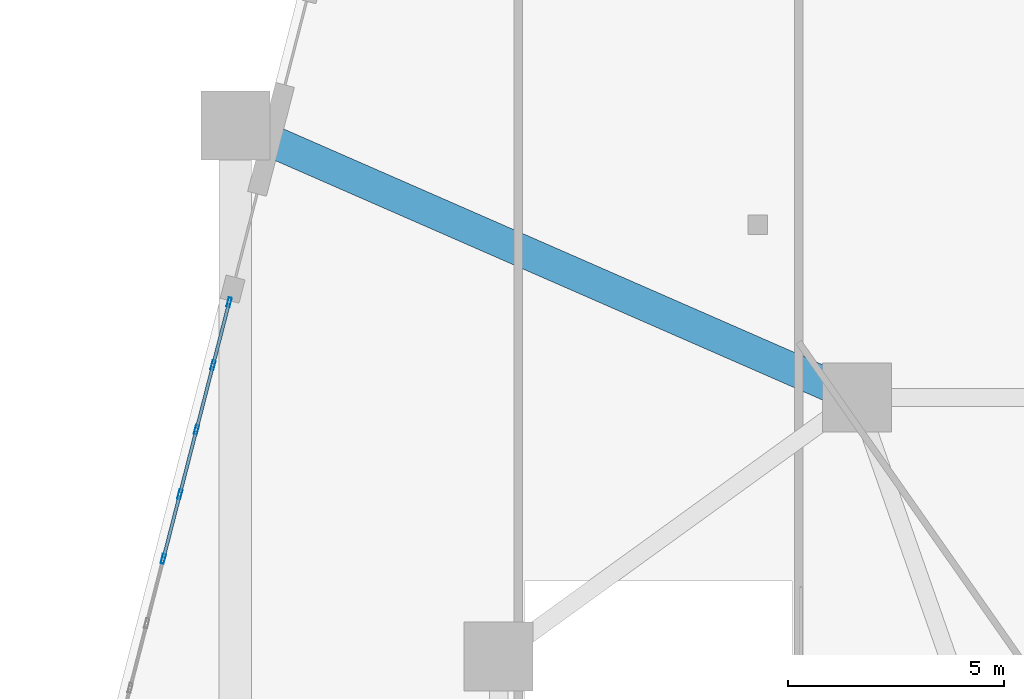
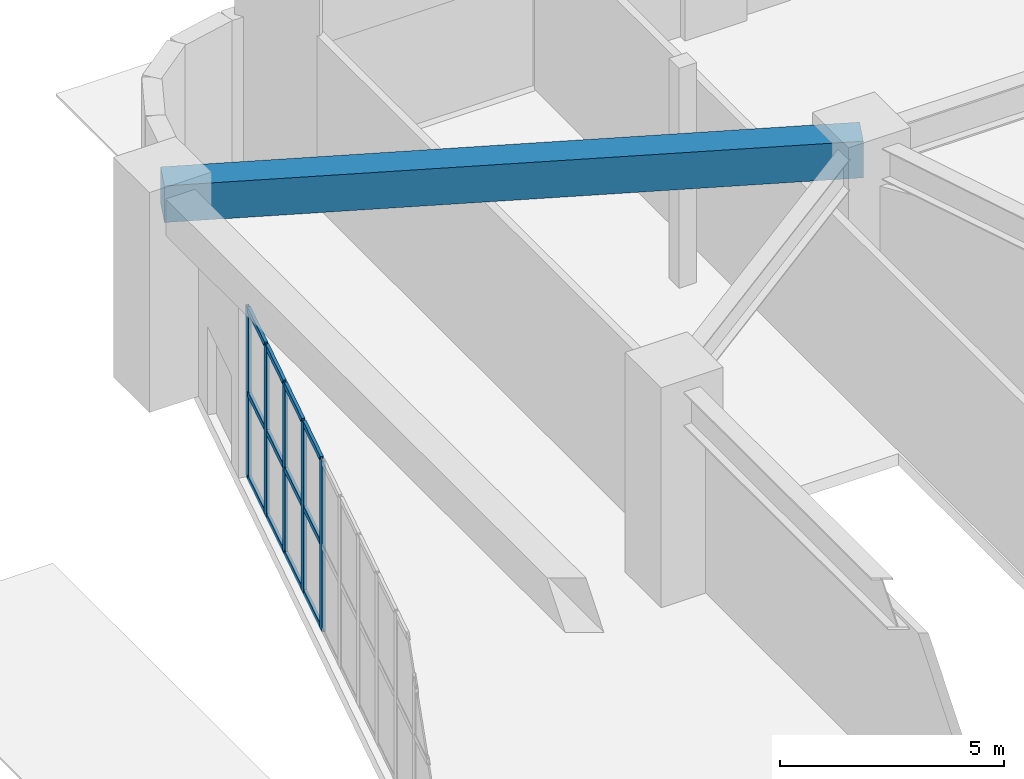
# One storey, part 17 of 35: 17 members, 1 beam, 1 element without a shape of its own.
"""IFC4 building model written with IfcOpenShell, lengths in metres."""

from ifc_helpers import new_model, si_unit, direction, frame, origin, origin_2d, place, context, subcontext, project, spatial, rectangle, hollow_rectangle, extrude, material, layer, layer_set, material_profile, profile_set, type_object, element, aggregate, save


model = new_model("IFC4")

# Units and contexts
model_context = context("Model", 3, precision=1e-05, world=origin(), true_north=direction((0.0, 1.0)))
body_context = subcontext(model_context, "Body", "Model", "MODEL_VIEW")
ifc_project = project(units=[si_unit("LENGTHUNIT", "METRE"), si_unit("AREAUNIT", "SQUARE_METRE"), si_unit("VOLUMEUNIT", "CUBIC_METRE"), si_unit("PLANEANGLEUNIT", "RADIAN"), si_unit("MASSUNIT", "GRAM", prefix="KILO")], contexts=[model_context])

# Site, building, storey
site_placement = place(None, origin())
site = spatial("IfcSite", under=ifc_project, at=site_placement, CompositionType="ELEMENT")
building_placement = place(site_placement, origin())
building = spatial("IfcBuilding", under=site, at=building_placement, Name="Kilnhurst Terrace Hotel", CompositionType="ELEMENT")
storey_placement = place(building_placement, origin())
storey = spatial("IfcBuildingStorey", under=building, at=storey_placement, Name="L00", CompositionType="ELEMENT", Elevation=0.0)

# Curtain wall, members
ifc_material_1 = material(Name="Anodized Aluminium Alloy 6063-T6 and Low-E Glass", Category="aluminium")
ifc_layer = layer(ifc_material_1, 0.219970703125, Name="Anodized Aluminium Alloy 6063-T6 and Low-E Glass")
ifc_layer_set = layer_set([ifc_layer], Name="Anodized Aluminium Alloy 6063-T6 and Low-E Glass")
curtain_wall_type = type_object("IfcCurtainWallType", Name="CW-POD-LOBBY", PredefinedType="NOTDEFINED", material=ifc_layer_set)
curtain_wall_placement = place(storey_placement, origin())
curtain_wall = element("IfcCurtainWall", 1, at=curtain_wall_placement, inside=storey, type_object=curtain_wall_type, Name="L00 Curtain Wall CW-L00-F5-1", PredefinedType="NOTDEFINED")
ifc_material_2 = material(Name="Extruded Aluminium Alloy 6063-T6", Category="aluminium")
ifc_material_profile_1 = material_profile(ifc_material_2, hollow_rectangle(XDim=0.074951171875, YDim=0.219970703125, WallThickness=0.00390625, at=origin_2d()), Name="CWM75X220")
ifc_profile_set_1 = profile_set([ifc_material_profile_1], Name="Extruded Aluminium Alloy 6063-T6")
member_type_1 = type_object("IfcMemberType", Name="MEM-CWM75X220", PredefinedType="MULLION", material=ifc_profile_set_1)
member_1_placement = place(storey_placement, frame((-27.741943359375, 21.703857421875, 0.0), z_axis=(0.0, 0.0, 1.0), x_axis=(0.968570392874, -0.248739610933, 0.0)))
member_1 = element("IfcMember", 2, at=member_1_placement, type_object=member_type_1, Name="CWL-1 mullion 1", PredefinedType="MULLION", context=body_context, shape_type="SweptSolid", body=[
    extrude(hollow_rectangle(XDim=0.074951171875, YDim=0.219970703125, WallThickness=0.00390625, at=origin_2d()), origin(), (0.0, 0.0, 1.0), 4.64990234375),
])
member_2_placement = place(storey_placement, frame((-28.11669921875, 20.2451171875, 0.0), z_axis=(0.0, 0.0, 1.0), x_axis=(0.968570392874, -0.248739610933, 0.0)))
member_2 = element("IfcMember", 3, at=member_2_placement, type_object=member_type_1, Name="CWL-1 mullion 2", PredefinedType="MULLION", context=body_context, shape_type="SweptSolid", body=[
    extrude(hollow_rectangle(XDim=0.074951171875, YDim=0.219970703125, WallThickness=0.00390625, at=origin_2d()), origin(), (0.0, 0.0, 1.0), 4.64990234375),
])
member_3_placement = place(storey_placement, frame((-28.50048828125, 18.75, 0.0), z_axis=(0.0, 0.0, 1.0), x_axis=(0.968570392874, -0.248739610933, 0.0)))
member_3 = element("IfcMember", 4, at=member_3_placement, type_object=member_type_1, Name="CWL-1 mullion 3", PredefinedType="MULLION", context=body_context, shape_type="SweptSolid", body=[
    extrude(hollow_rectangle(XDim=0.074951171875, YDim=0.219970703125, WallThickness=0.00390625, at=origin_2d()), origin(), (0.0, 0.0, 1.0), 4.64990234375),
])
member_4_placement = place(storey_placement, frame((-28.884521484375, 17.255126953125, 0.0), z_axis=(0.0, 0.0, 1.0), x_axis=(0.968570392874, -0.248739610933, 0.0)))
member_4 = element("IfcMember", 5, at=member_4_placement, type_object=member_type_1, Name="CWL-1 mullion 4", PredefinedType="MULLION", context=body_context, shape_type="SweptSolid", body=[
    extrude(hollow_rectangle(XDim=0.074951171875, YDim=0.219970703125, WallThickness=0.00390625, at=origin_2d()), origin(), (0.0, 0.0, 1.0), 4.64990234375),
])
member_5_placement = place(storey_placement, frame((-29.268310546875, 15.76025390625, 0.0), z_axis=(0.0, 0.0, 1.0), x_axis=(0.968570392874, -0.248739610933, 0.0)))
member_5 = element("IfcMember", 6, at=member_5_placement, type_object=member_type_1, Name="CWL-1 mullion 5", PredefinedType="MULLION", context=body_context, shape_type="SweptSolid", body=[
    extrude(hollow_rectangle(XDim=0.074951171875, YDim=0.219970703125, WallThickness=0.00390625, at=origin_2d()), origin(), (0.0, 0.0, 1.0), 4.64990234375),
])
ifc_material_profile_2 = material_profile(ifc_material_2, hollow_rectangle(XDim=0.074951171875, YDim=0.14990234375, WallThickness=0.00390625, at=origin_2d()), Name="CWT75X150")
ifc_profile_set_2 = profile_set([ifc_material_profile_2], Name="Extruded Aluminium Alloy 6063-T6")
member_type_2 = type_object("IfcMemberType", Name="MEM-CWT75X150", PredefinedType="USERDEFINED", material=ifc_profile_set_2)
member_6_placement = place(storey_placement, frame((-27.75146484375, 21.66748046875, 0.03759765625), z_axis=(-0.248752973294, -0.968566961174, 0.0), x_axis=(0.968566961174, -0.248752973294, 0.0)))
member_6 = element("IfcMember", 7, at=member_6_placement, type_object=member_type_2, Name="CWL-1 transom 1.1", ObjectType="TRANSOM", PredefinedType="USERDEFINED", context=body_context, shape_type="SweptSolid", body=[
    extrude(hollow_rectangle(XDim=0.074951171875, YDim=0.14990234375, WallThickness=0.00390625, at=origin_2d()), origin(), (0.0, 0.0, 1.0), 1.430908203125),
])
member_7_placement = place(storey_placement, frame((-27.75146484375, 21.66748046875, 2.324951171875), z_axis=(-0.248752973294, -0.968566961174, 0.0), x_axis=(0.968566961174, -0.248752973294, 0.0)))
member_7 = element("IfcMember", 8, at=member_7_placement, type_object=member_type_2, Name="CWL-1 transom 1.2", ObjectType="TRANSOM", PredefinedType="USERDEFINED", context=body_context, shape_type="SweptSolid", body=[
    extrude(hollow_rectangle(XDim=0.074951171875, YDim=0.14990234375, WallThickness=0.00390625, at=origin_2d()), origin(), (0.0, 0.0, 1.0), 1.430908203125),
])
member_8_placement = place(storey_placement, frame((-27.75146484375, 21.66748046875, 4.612548828125), z_axis=(-0.248752973294, -0.968566961174, 0.0), x_axis=(0.968566961174, -0.248752973294, 0.0)))
member_8 = element("IfcMember", 9, at=member_8_placement, type_object=member_type_2, Name="CWL-1 transom 1.3", ObjectType="TRANSOM", PredefinedType="USERDEFINED", context=body_context, shape_type="SweptSolid", body=[
    extrude(hollow_rectangle(XDim=0.074951171875, YDim=0.14990234375, WallThickness=0.00390625, at=origin_2d()), origin(), (0.0, 0.0, 1.0), 1.430908203125),
])
member_9_placement = place(storey_placement, frame((-28.1259765625, 20.208740234375, 0.03759765625), z_axis=(-0.24871132416, -0.968577656791, 0.0), x_axis=(0.968577656791, -0.24871132416, 0.0)))
member_9 = element("IfcMember", 10, at=member_9_placement, type_object=member_type_2, Name="CWL-1 transom 2.1", ObjectType="TRANSOM", PredefinedType="USERDEFINED", context=body_context, shape_type="SweptSolid", body=[
    extrude(hollow_rectangle(XDim=0.074951171875, YDim=0.14990234375, WallThickness=0.00390625, at=origin_2d()), origin(), (0.0, 0.0, 1.0), 1.468505859375),
])
member_10_placement = place(storey_placement, frame((-28.1259765625, 20.208740234375, 2.324951171875), z_axis=(-0.24871132416, -0.968577656791, 0.0), x_axis=(0.968577656791, -0.24871132416, 0.0)))
member_10 = element("IfcMember", 11, at=member_10_placement, type_object=member_type_2, Name="CWL-1 transom 2.2", ObjectType="TRANSOM", PredefinedType="USERDEFINED", context=body_context, shape_type="SweptSolid", body=[
    extrude(hollow_rectangle(XDim=0.074951171875, YDim=0.14990234375, WallThickness=0.00390625, at=origin_2d()), origin(), (0.0, 0.0, 1.0), 1.468505859375),
])
member_11_placement = place(storey_placement, frame((-28.1259765625, 20.208740234375, 4.612548828125), z_axis=(-0.24871132416, -0.968577656791, 0.0), x_axis=(0.968577656791, -0.24871132416, 0.0)))
member_11 = element("IfcMember", 12, at=member_11_placement, type_object=member_type_2, Name="CWL-1 transom 2.3", ObjectType="TRANSOM", PredefinedType="USERDEFINED", context=body_context, shape_type="SweptSolid", body=[
    extrude(hollow_rectangle(XDim=0.074951171875, YDim=0.14990234375, WallThickness=0.00390625, at=origin_2d()), origin(), (0.0, 0.0, 1.0), 1.468505859375),
])
member_12_placement = place(storey_placement, frame((-28.510009765625, 18.7138671875, 0.03759765625), z_axis=(-0.24871132416, -0.968577656791, 0.0), x_axis=(0.968577656791, -0.24871132416, 0.0)))
member_12 = element("IfcMember", 13, at=member_12_placement, type_object=member_type_2, Name="CWL-1 transom 3.1", ObjectType="TRANSOM", PredefinedType="USERDEFINED", context=body_context, shape_type="SweptSolid", body=[
    extrude(hollow_rectangle(XDim=0.074951171875, YDim=0.14990234375, WallThickness=0.00390625, at=origin_2d()), origin(), (0.0, 0.0, 1.0), 1.468505859375),
])
member_13_placement = place(storey_placement, frame((-28.510009765625, 18.7138671875, 2.324951171875), z_axis=(-0.24871132416, -0.968577656791, 0.0), x_axis=(0.968577656791, -0.24871132416, 0.0)))
member_13 = element("IfcMember", 14, at=member_13_placement, type_object=member_type_2, Name="CWL-1 transom 3.2", ObjectType="TRANSOM", PredefinedType="USERDEFINED", context=body_context, shape_type="SweptSolid", body=[
    extrude(hollow_rectangle(XDim=0.074951171875, YDim=0.14990234375, WallThickness=0.00390625, at=origin_2d()), origin(), (0.0, 0.0, 1.0), 1.468505859375),
])
member_14_placement = place(storey_placement, frame((-28.510009765625, 18.7138671875, 4.612548828125), z_axis=(-0.24871132416, -0.968577656791, 0.0), x_axis=(0.968577656791, -0.24871132416, 0.0)))
member_14 = element("IfcMember", 15, at=member_14_placement, type_object=member_type_2, Name="CWL-1 transom 3.3", ObjectType="TRANSOM", PredefinedType="USERDEFINED", context=body_context, shape_type="SweptSolid", body=[
    extrude(hollow_rectangle(XDim=0.074951171875, YDim=0.14990234375, WallThickness=0.00390625, at=origin_2d()), origin(), (0.0, 0.0, 1.0), 1.468505859375),
])
member_15_placement = place(storey_placement, frame((-28.893798828125, 17.21875, 0.03759765625), z_axis=(-0.24871132416, -0.968577656791, 0.0), x_axis=(0.968577656791, -0.24871132416, 0.0)))
member_15 = element("IfcMember", 16, at=member_15_placement, type_object=member_type_2, Name="CWL-1 transom 4.1", ObjectType="TRANSOM", PredefinedType="USERDEFINED", context=body_context, shape_type="SweptSolid", body=[
    extrude(hollow_rectangle(XDim=0.074951171875, YDim=0.14990234375, WallThickness=0.00390625, at=origin_2d()), origin(), (0.0, 0.0, 1.0), 1.468505859375),
])
member_16_placement = place(storey_placement, frame((-28.893798828125, 17.21875, 2.324951171875), z_axis=(-0.24871132416, -0.968577656791, 0.0), x_axis=(0.968577656791, -0.24871132416, 0.0)))
member_16 = element("IfcMember", 17, at=member_16_placement, type_object=member_type_2, Name="CWL-1 transom 4.2", ObjectType="TRANSOM", PredefinedType="USERDEFINED", context=body_context, shape_type="SweptSolid", body=[
    extrude(hollow_rectangle(XDim=0.074951171875, YDim=0.14990234375, WallThickness=0.00390625, at=origin_2d()), origin(), (0.0, 0.0, 1.0), 1.468505859375),
])
member_17_placement = place(storey_placement, frame((-28.893798828125, 17.21875, 4.612548828125), z_axis=(-0.24871132416, -0.968577656791, 0.0), x_axis=(0.968577656791, -0.24871132416, 0.0)))
member_17 = element("IfcMember", 18, at=member_17_placement, type_object=member_type_2, Name="CWL-1 transom 4.3", ObjectType="TRANSOM", PredefinedType="USERDEFINED", context=body_context, shape_type="SweptSolid", body=[
    extrude(hollow_rectangle(XDim=0.074951171875, YDim=0.14990234375, WallThickness=0.00390625, at=origin_2d()), origin(), (0.0, 0.0, 1.0), 1.468505859375),
])
aggregate(curtain_wall, [member_1, member_2, member_3, member_4, member_5, member_6, member_7, member_8, member_9, member_10, member_11, member_12, member_13, member_14, member_15, member_16, member_17])

# Beam
ifc_material_3 = material(Name="Concrete C50/60", Category="concrete")
ifc_material_profile_3 = material_profile(ifc_material_3, rectangle(XDim=0.75, YDim=1.0, at=origin_2d()), Name="RC750X1000")
ifc_profile_set_3 = profile_set([ifc_material_profile_3], Name="Concrete C50/60")
beam_type = type_object("IfcBeamType", Name="TBM-GAR-750X1000", PredefinedType="T_BEAM", material=ifc_profile_set_3)
beam_placement = place(storey_placement, frame((-27.60009765625, 25.800048828125, 5.179931640625), z_axis=(0.916157691387, -0.400818019196, 0.0), x_axis=(0.400818019196, 0.916157691387, 0.0)))
element("IfcBeam", 19, at=beam_placement, inside=storey, type_object=beam_type, Name="L00 Outer Ring Tee Beam 3", PredefinedType="T_BEAM", context=body_context, shape_type="SweptSolid", body=[
    extrude(rectangle(XDim=0.75, YDim=1.0, at=origin_2d()), origin(), (0.0, 0.0, 1.0), 15.718017578125),
])

save(model, "model.ifc")
